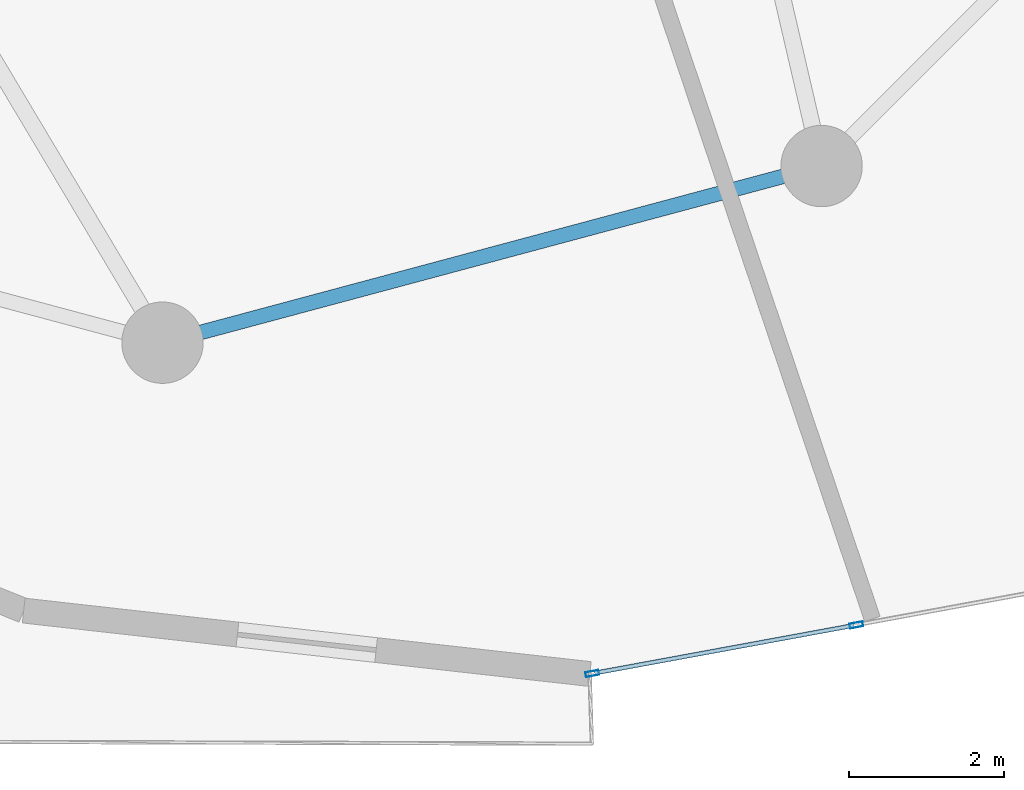
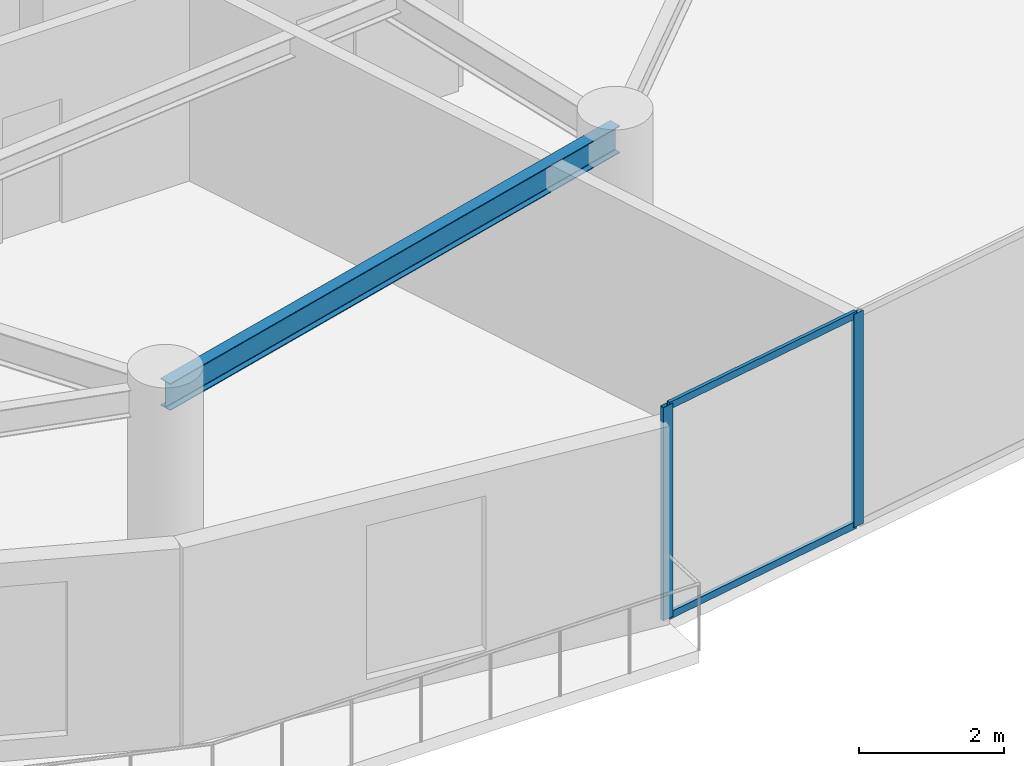
# One storey, part 4 of 25: 4 members, 1 beam, 1 element without a shape of its own.
"""IFC4 building model written with IfcOpenShell, lengths in metres."""

from ifc_helpers import new_model, si_unit, direction, frame, origin, origin_2d, place, context, subcontext, project, spatial, hollow_rectangle, i_section, extrude, source, transform, mapped, material, layer, layer_set, material_profile, profile_set, type_object, element, aggregate, save


model = new_model("IFC4")

# Units and contexts
model_context = context("Model", 3, precision=1e-05, world=origin(), true_north=direction((0.0, 1.0)))
body_context = subcontext(model_context, "Body", "Model", "MODEL_VIEW")
ifc_project = project(units=[si_unit("LENGTHUNIT", "METRE"), si_unit("AREAUNIT", "SQUARE_METRE"), si_unit("VOLUMEUNIT", "CUBIC_METRE"), si_unit("PLANEANGLEUNIT", "RADIAN"), si_unit("MASSUNIT", "GRAM", prefix="KILO")], contexts=[model_context])

# Site, building, storey
site_placement = place(None, origin())
site = spatial("IfcSite", under=ifc_project, at=site_placement, CompositionType="ELEMENT")
building_placement = place(site_placement, origin())
building = spatial("IfcBuilding", under=site, at=building_placement, Name="Solvirekh Grand Hotel", CompositionType="ELEMENT")
storey_placement = place(building_placement, frame((0.0, 0.0, 102.60009765625)))
storey = spatial("IfcBuildingStorey", under=building, at=storey_placement, Name="L25", CompositionType="ELEMENT", Elevation=102.60009765625)

# Beam
ifc_material_1 = material(Name="Steel S355", Category="steel")
ifc_material_profile_1 = material_profile(ifc_material_1, i_section(OverallWidth=0.18994140625, OverallDepth=0.45703125, WebThickness=0.009033203125, FlangeThickness=0.013916015625, FilletRadius=0.012939453125, at=origin_2d()), Name="W460X74")
ifc_profile_set_1 = profile_set([ifc_material_profile_1], Name="Steel S355")
beam_type = type_object("IfcBeamType", Name="Spandrel_Ring_W460", PredefinedType="SPANDREL", material=ifc_profile_set_1)
beam_placement = place(storey_placement, frame((0.0, -17.0, 3.121826171875), z_axis=(0.965911391906, 0.258872908946, 0.0), x_axis=(-0.258872908946, 0.965911391906, 0.0)))
element("IfcBeam", 1, at=beam_placement, inside=storey, type_object=beam_type, Name="L25 perimeter spandrel beam 10", PredefinedType="SPANDREL", context=body_context, shape_type="SweptSolid", body=[
    extrude(i_section(OverallWidth=0.18994140625, OverallDepth=0.45703125, WebThickness=0.009033203125, FlangeThickness=0.013916015625, FilletRadius=0.012939453125, at=origin_2d()), origin(), (0.0, 0.0, 1.0), 8.800048828125),
])

# Curtain wall, members
ifc_material_2 = material(Name="Anodized Bronze Aluminium 6063-T6", Category="aluminium")
ifc_layer = layer(ifc_material_2, 0.175048828125)
ifc_layer_set = layer_set([ifc_layer], Name="Anodized Bronze Aluminium 6063-T6")
curtain_wall_type = type_object("IfcCurtainWallType", Name="CW_Sys3_MidZoneFlushBronzeCW", PredefinedType="NOTDEFINED", material=ifc_layer_set)
curtain_wall_placement = place(storey_placement, origin())
curtain_wall = element("IfcCurtainWall", 2, at=curtain_wall_placement, inside=storey, type_object=curtain_wall_type, Name="L25 unitised bronze-glass curtain wall CW-L25-C18", PredefinedType="NOTDEFINED")
ifc_material_profile_2 = material_profile(ifc_material_2, hollow_rectangle(XDim=0.06494140625, YDim=0.175048828125, WallThickness=0.0048828125, at=origin_2d()), Name="ALU RHS 175X65X5")
ifc_profile_set_2 = profile_set([ifc_material_profile_2], Name="Anodized Bronze Aluminium 6063-T6")
member_type_1 = type_object("IfcMemberType", Name="CWMullion_Sys3", PredefinedType="MULLION", material=ifc_profile_set_2)
shared_shape_1 = source(origin(), body_context, "Body", "SweptSolid", [
    extrude(hollow_rectangle(XDim=0.06494140625, YDim=0.175048828125, WallThickness=0.0048828125, at=origin_2d()), origin(), (0.0, 0.0, 1.0), 3.599853515625),
])
member_1_placement = place(storey_placement, frame((5.54296875, -21.26708984375, 0.0), z_axis=(0.0, 0.0, 1.0), x_axis=(-0.180987633873, 0.983485371719, 0.0)))
member_1 = element("IfcMember", 3, at=member_1_placement, type_object=member_type_1, Name="U03 mullion 1", PredefinedType="MULLION", context=body_context, shape_type="MappedRepresentation", body=[
    mapped(shared_shape_1, transform((0.0, 0.0, 0.0), x_axis=(1.0, 0.0, 0.0), y_axis=(0.0, 1.0, 0.0), z_axis=(0.0, 0.0, 1.0), scale=1.0)),
])
member_2_placement = place(storey_placement, frame((8.947998046875, -20.640380859375, 0.0), z_axis=(0.0, 0.0, 1.0), x_axis=(-0.180987633873, 0.983485371719, 0.0)))
member_2 = element("IfcMember", 4, at=member_2_placement, type_object=member_type_1, Name="U03 mullion 2", PredefinedType="MULLION", context=body_context, shape_type="MappedRepresentation", body=[
    mapped(shared_shape_1, transform((0.0, 0.0, 0.0), x_axis=(1.0, 0.0, 0.0), y_axis=(0.0, 1.0, 0.0), z_axis=(0.0, 0.0, 1.0), scale=1.0)),
])
ifc_material_profile_3 = material_profile(ifc_material_2, hollow_rectangle(XDim=0.054931640625, YDim=0.1201171875, WallThickness=0.00390625, at=origin_2d()), Name="ALU RHS 120X55X4")
ifc_profile_set_3 = profile_set([ifc_material_profile_3], Name="Anodized Bronze Aluminium 6063-T6")
member_type_2 = type_object("IfcMemberType", Name="CWTransom_Sys3", PredefinedType="USERDEFINED", material=ifc_profile_set_3)
shared_shape_2 = source(origin(), body_context, "Body", "SweptSolid", [
    extrude(hollow_rectangle(XDim=0.054931640625, YDim=0.1201171875, WallThickness=0.00390625, at=origin_2d()), origin(), (0.0, 0.0, 1.0), 3.397216796875),
])
member_3_placement = place(storey_placement, frame((5.574951171875, -21.26123046875, 0.02734375), z_axis=(0.983490568923, 0.180959390029, 0.0), x_axis=(-0.180959390029, 0.983490568923, 0.0)))
member_3 = element("IfcMember", 5, at=member_3_placement, type_object=member_type_2, Name="U03 transom 1.1", ObjectType="TRANSOM", PredefinedType="USERDEFINED", context=body_context, shape_type="MappedRepresentation", body=[
    mapped(shared_shape_2, transform((0.0, 0.0, 0.0), x_axis=(1.0, 0.0, 0.0), y_axis=(0.0, 1.0, 0.0), z_axis=(0.0, 0.0, 1.0), scale=1.0)),
])
member_4_placement = place(storey_placement, frame((5.574951171875, -21.26123046875, 3.572509765625), z_axis=(0.983490568923, 0.180959390029, 0.0), x_axis=(-0.180959390029, 0.983490568923, 0.0)))
member_4 = element("IfcMember", 6, at=member_4_placement, type_object=member_type_2, Name="U03 transom 1.2", ObjectType="TRANSOM", PredefinedType="USERDEFINED", context=body_context, shape_type="MappedRepresentation", body=[
    mapped(shared_shape_2, transform((0.0, 0.0, 0.0), x_axis=(1.0, 0.0, 0.0), y_axis=(0.0, 1.0, 0.0), z_axis=(0.0, 0.0, 1.0), scale=1.0)),
])
aggregate(curtain_wall, [member_1, member_2, member_3, member_4])

save(model, "model.ifc")
